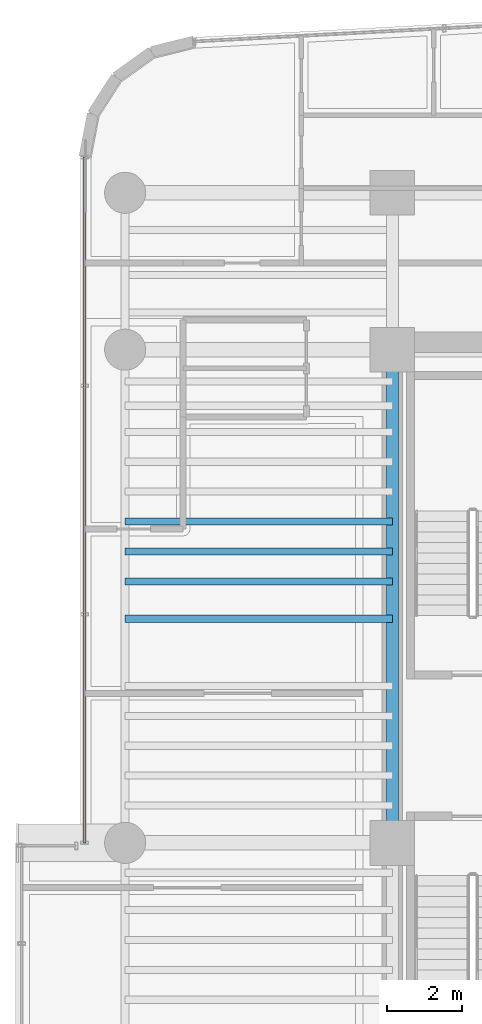
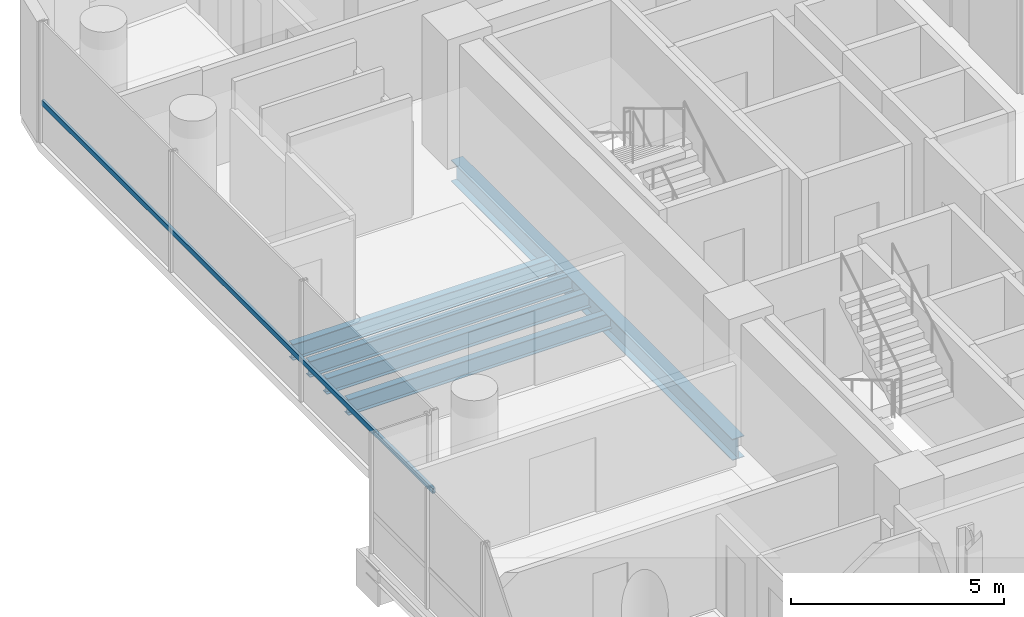
# One storey, part 9 of 34: 5 beams, 1 member, 1 element without a shape of its own.
"""IFC4 building model written with IfcOpenShell, lengths in metres."""

from ifc_helpers import new_model, si_unit, direction, frame, origin, origin_2d, place, context, subcontext, project, spatial, hollow_rectangle, i_section, extrude, source, transform, mapped, material, material_profile, profile_set, type_object, element, aggregate, save


model = new_model("IFC4")

# Units and contexts
model_context = context("Model", 3, precision=1e-05, world=origin(), true_north=direction((0.0, 1.0)))
body_context = subcontext(model_context, "Body", "Model", "MODEL_VIEW")
ifc_project = project(units=[si_unit("LENGTHUNIT", "METRE"), si_unit("AREAUNIT", "SQUARE_METRE"), si_unit("VOLUMEUNIT", "CUBIC_METRE"), si_unit("PLANEANGLEUNIT", "RADIAN"), si_unit("MASSUNIT", "GRAM", prefix="KILO")], contexts=[model_context])

# Site, building, storey
site_placement = place(None, origin())
site = spatial("IfcSite", under=ifc_project, at=site_placement, CompositionType="ELEMENT")
building_placement = place(site_placement, origin())
building = spatial("IfcBuilding", under=site, at=building_placement, Name="Valdorenza Pilgrim Sanctuary Tower", CompositionType="ELEMENT")
storey_placement = place(building_placement, frame((0.0, 0.0, 161.199951171875)))
storey = spatial("IfcBuildingStorey", under=building, at=storey_placement, Name="L41", CompositionType="ELEMENT", Elevation=161.199951171875)

# Beams
ifc_material_1 = material(Name="Steel ASTM A992 Grade 50", Category="steel")
ifc_material_profile_1 = material_profile(ifc_material_1, i_section(OverallWidth=0.323974609375, OverallDepth=0.611083984375, WebThickness=0.0126953125, FlangeThickness=0.01904296875, at=origin_2d()), Name="W24X104")
ifc_profile_set_1 = profile_set([ifc_material_profile_1], Name="Steel ASTM A992 Grade 50")
beam_type_1 = type_object("IfcBeamType", Name="STR-BM-GRD-W24B", PredefinedType="BEAM", material=ifc_profile_set_1)
shared_shape_1 = source(origin(), body_context, "Body", "SweptSolid", [
    extrude(i_section(OverallWidth=0.323974609375, OverallDepth=0.611083984375, WebThickness=0.0126953125, FlangeThickness=0.01904296875, at=origin_2d()), origin(), (0.0, 0.0, 1.0), 13.2001953125),
])
beam_placement = place(storey_placement, frame((-22.64990234375, -2.60009765625, -0.54541015625), z_axis=(0.0, 1.0, 0.0), x_axis=(-1.0, 0.0, 0.0)))
element("IfcBeam", 1, at=beam_placement, inside=storey, type_object=beam_type_1, Name="L41 Core Tie Girder CA-W-M0N1", PredefinedType="BEAM", context=body_context, shape_type="MappedRepresentation", body=[
    mapped(shared_shape_1, transform((0.0, 0.0, 0.0), x_axis=(1.0, 0.0, 0.0), y_axis=(0.0, 1.0, 0.0), z_axis=(0.0, 0.0, 1.0), scale=1.0)),
])
ifc_material_profile_2 = material_profile(ifc_material_1, i_section(OverallWidth=0.19091796875, OverallDepth=0.45703125, WebThickness=0.009033203125, FlangeThickness=0.014404296875, at=origin_2d()), Name="W18X50")
ifc_profile_set_2 = profile_set([ifc_material_profile_2], Name="Steel ASTM A992 Grade 50")
beam_type_2 = type_object("IfcBeamType", Name="STR-BM-JST-W18B", PredefinedType="JOIST", material=ifc_profile_set_2)
shared_shape_2 = source(origin(), body_context, "Body", "SweptSolid", [
    extrude(i_section(OverallWidth=0.19091796875, OverallDepth=0.45703125, WebThickness=0.009033203125, FlangeThickness=0.014404296875, at=origin_2d()), origin(), (0.0, 0.0, 1.0), 7.150146484375),
])
for number, where, z_axis, x_axis, name in (
    (2, (-29.800048828125, 3.39990234375, -0.468505859375), (1.0, 0.0, 0.0), (0.0, 1.0, 0.0), "L41 Composite Floor Joist JST-WA-15"),
    (3, (-29.800048828125, 4.39990234375, -0.468505859375), (1.0, 0.0, 0.0), (0.0, 1.0, 0.0), "L41 Composite Floor Joist JST-WA-16"),
    (4, (-29.800048828125, 5.199951171875, -0.468505859375), (1.0, 0.0, 0.0), (0.0, 1.0, 0.0), "L41 Composite Floor Joist JST-WA-17"),
    (5, (-29.800048828125, 6.0, -0.468505859375), (1.0, 0.0, 0.0), (0.0, 1.0, 0.0), "L41 Composite Floor Joist JST-WA-18"),
):
    element("IfcBeam", number, at=place(storey_placement, frame(where, z_axis=z_axis, x_axis=x_axis)), inside=storey, type_object=beam_type_2, Name=name, PredefinedType="JOIST", context=body_context, shape_type="MappedRepresentation", body=[
        mapped(shared_shape_2, transform((0.0, 0.0, 0.0), x_axis=(1.0, 0.0, 0.0), y_axis=(0.0, 1.0, 0.0), z_axis=(0.0, 0.0, 1.0), scale=1.0)),
    ])

# Curtain wall, member
ifc_material_2 = material(Name="Curtain-wall IGU glazing", Category="glass")
curtain_wall_type = type_object("IfcCurtainWallType", Name="CW-SYS-02", PredefinedType="NOTDEFINED", material=ifc_material_2)
curtain_wall_placement = place(storey_placement, origin())
curtain_wall = element("IfcCurtainWall", 6, at=curtain_wall_placement, inside=storey, type_object=curtain_wall_type, Name="L41 Curtain Wall CW-L41-1-1S2", PredefinedType="NOTDEFINED")
ifc_material_3 = material(Name="Anodised aluminium AW-6060", Category="aluminium")
ifc_material_profile_3 = material_profile(ifc_material_3, hollow_rectangle(XDim=0.074951171875, YDim=0.14990234375, WallThickness=0.00390625, at=origin_2d()), Name="ALU-T 150x75x4")
ifc_profile_set_3 = profile_set([ifc_material_profile_3], Name="Anodised aluminium AW-6060")
member_type = type_object("IfcMemberType", Name="CW-TRN-02", PredefinedType="USERDEFINED", material=ifc_profile_set_3)
shared_shape_3 = source(origin(), body_context, "Body", "SweptSolid", [
    extrude(hollow_rectangle(XDim=0.074951171875, YDim=0.14990234375, WallThickness=0.00390625, at=origin_2d()), origin(), (0.0, 0.0, 1.0), 18.354248046875),
])
member_placement = place(storey_placement, frame((-30.889892578125, -2.60009765625, 1.1201171875), z_axis=(0.0, 1.0, 0.0), x_axis=(-1.0, 0.0, 0.0)))
member = element("IfcMember", 7, at=member_placement, type_object=member_type, Name="CW-L41-1-1S2 Transom 1", ObjectType="TRANSOM", PredefinedType="USERDEFINED", context=body_context, shape_type="MappedRepresentation", body=[
    mapped(shared_shape_3, transform((0.0, 0.0, 0.0), x_axis=(1.0, 0.0, 0.0), y_axis=(0.0, 1.0, 0.0), z_axis=(0.0, 0.0, 1.0), scale=1.0)),
])
aggregate(curtain_wall, [member])

save(model, "model.ifc")
